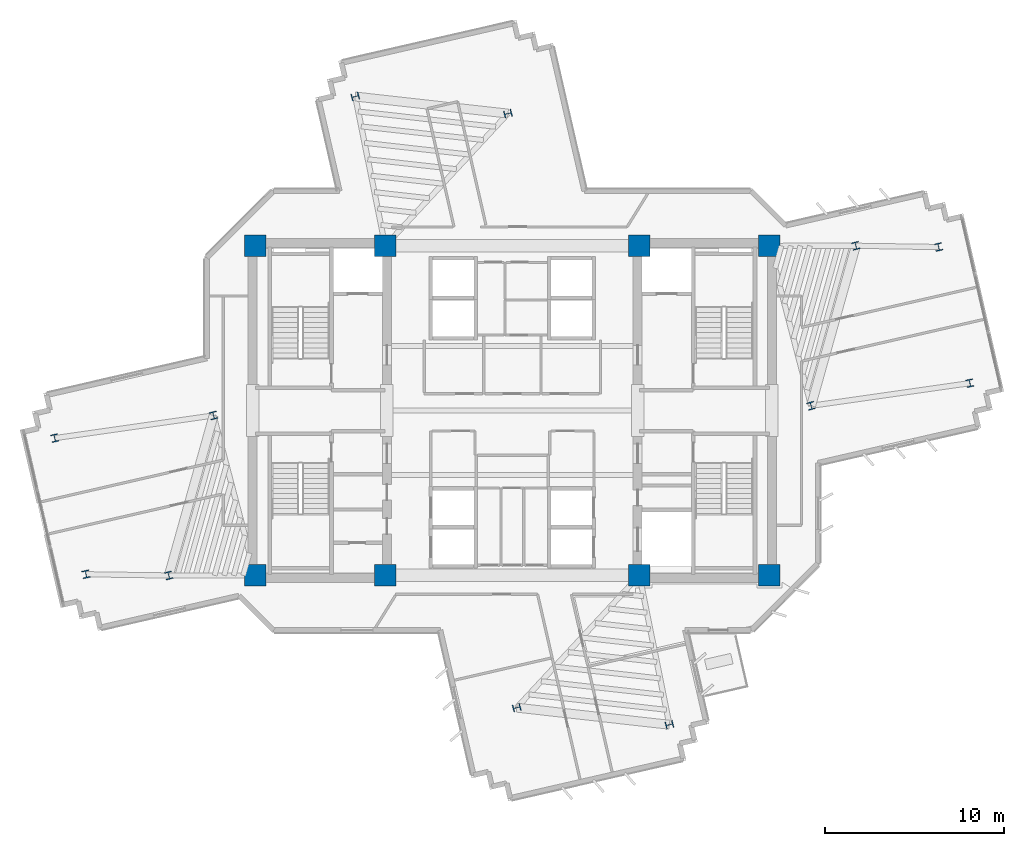
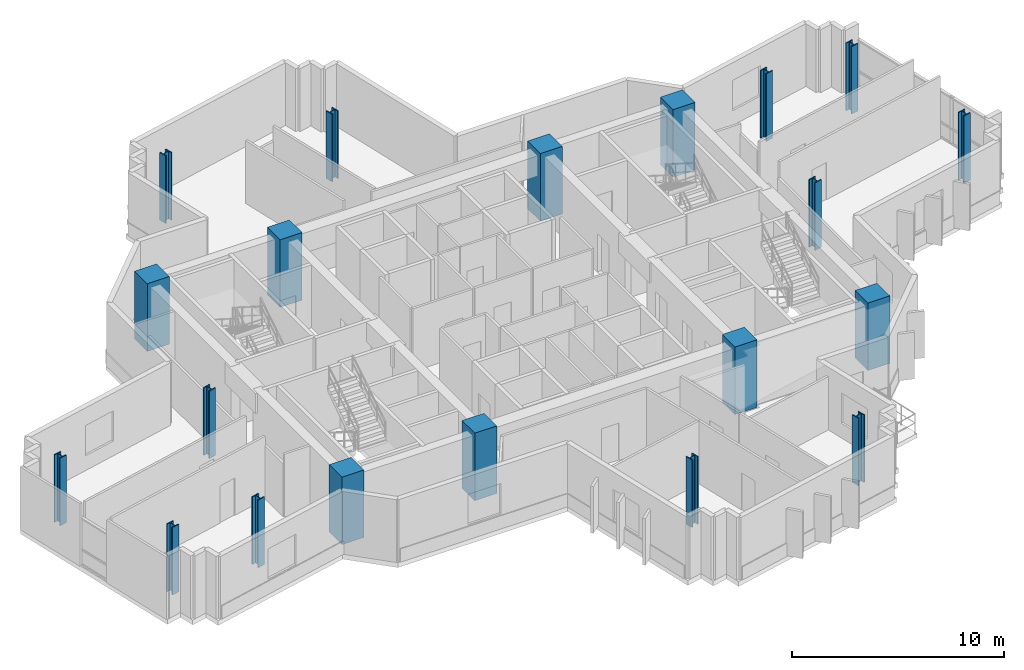
# One storey, part 1 of 13: 20 columns.
"""IFC4 building model written with IfcOpenShell, lengths in metres."""

from ifc_helpers import new_model, si_unit, direction, frame, origin, origin_2d, place, context, subcontext, project, spatial, rectangle, i_section, extrude, source, transform, mapped, material, material_profile, profile_set, type_object, element, save


model = new_model("IFC4")

# Units and contexts
model_context = context("Model", 3, precision=1e-05, world=origin(), true_north=direction((0.0, 1.0)))
body_context = subcontext(model_context, "Body", "Model", "MODEL_VIEW")
ifc_project = project(units=[si_unit("LENGTHUNIT", "METRE"), si_unit("AREAUNIT", "SQUARE_METRE"), si_unit("VOLUMEUNIT", "CUBIC_METRE"), si_unit("PLANEANGLEUNIT", "RADIAN"), si_unit("MASSUNIT", "GRAM", prefix="KILO")], contexts=[model_context])

# Site, building, storey
site_placement = place(None, origin())
site = spatial("IfcSite", under=ifc_project, at=site_placement, CompositionType="ELEMENT")
building_placement = place(site_placement, origin())
building = spatial("IfcBuilding", under=site, at=building_placement, Name="Zahravan Cultural Tower", CompositionType="ELEMENT")
storey_placement = place(building_placement, frame((0.0, 0.0, 178.5)))
storey = spatial("IfcBuildingStorey", under=building, at=storey_placement, Name="L41", CompositionType="ELEMENT", Elevation=178.5)

# Columns
ifc_material_1 = material(Name="Concrete C50/60", Category="concrete")
ifc_material_profile_1 = material_profile(ifc_material_1, rectangle(XDim=1.199951171875, YDim=1.199951171875, at=origin_2d()), Name="RC1200X1200")
ifc_profile_set_1 = profile_set([ifc_material_profile_1], Name="Concrete C50/60")
column_type_1 = type_object("IfcColumnType", Name="COL-RC1200", PredefinedType="COLUMN", material=ifc_profile_set_1)
shared_shape_1 = source(origin(), body_context, "Body", "SweptSolid", [
    extrude(rectangle(XDim=1.199951171875, YDim=1.199951171875, at=origin_2d()), origin(), (0.0, 0.0, 1.0), 3.89990234375),
])
for number, where, z_axis, x_axis, name in (
    (1, (21.64990234375, 17.800048828125, 0.0), (0.0, 0.0, 1.0), (1.0, 0.0, 0.0), "L41 Column CC-W1"),
    (2, (28.89990234375, 17.800048828125, 0.0), (0.0, 0.0, 1.0), (1.0, 0.0, 0.0), "L41 Column CC-W2"),
    (3, (21.64990234375, 36.199951171875, 0.0), (0.0, 0.0, 1.0), (1.0, 0.0, 0.0), "L41 Column CC-W3"),
    (4, (28.89990234375, 36.199951171875, 0.0), (0.0, 0.0, 1.0), (1.0, 0.0, 0.0), "L41 Column CC-W4"),
    (5, (43.10009765625, 17.800048828125, 0.0), (0.0, 0.0, 1.0), (1.0, 0.0, 0.0), "L41 Column CC-E1"),
    (6, (50.35009765625, 17.800048828125, 0.0), (0.0, 0.0, 1.0), (1.0, 0.0, 0.0), "L41 Column CC-E2"),
    (7, (43.10009765625, 36.199951171875, 0.0), (0.0, 0.0, 1.0), (1.0, 0.0, 0.0), "L41 Column CC-E3"),
    (8, (50.35009765625, 36.199951171875, 0.0), (0.0, 0.0, 1.0), (1.0, 0.0, 0.0), "L41 Column CC-E4"),
):
    element("IfcColumn", number, at=place(storey_placement, frame(where, z_axis=z_axis, x_axis=x_axis)), inside=storey, type_object=column_type_1, Name=name, PredefinedType="COLUMN", context=body_context, shape_type="MappedRepresentation", body=[
        mapped(shared_shape_1, transform((0.0, 0.0, 0.0), x_axis=(1.0, 0.0, 0.0), y_axis=(0.0, 1.0, 0.0), z_axis=(0.0, 0.0, 1.0), scale=1.0)),
    ])
ifc_material_2 = material(Name="Steel ASTM A992 Grade 50", Category="steel")
ifc_material_profile_2 = material_profile(ifc_material_2, i_section(OverallWidth=0.412109375, OverallDepth=0.43505859375, WebThickness=0.035888671875, FlangeThickness=0.057373046875, FilletRadius=0.01806640625, at=origin_2d()), Name="W14X311")
ifc_profile_set_2 = profile_set([ifc_material_profile_2], Name="Steel ASTM A992 Grade 50")
column_type_2 = type_object("IfcColumnType", Name="COL-W14X311", PredefinedType="COLUMN", material=ifc_profile_set_2)
shared_shape_2 = source(origin(), body_context, "Body", "SweptSolid", [
    extrude(i_section(OverallWidth=0.412109375, OverallDepth=0.43505859375, WebThickness=0.035888671875, FlangeThickness=0.057373046875, FilletRadius=0.01806640625, at=origin_2d()), origin(), (0.0, 0.0, 1.0), 3.89990234375),
])
for number, where, z_axis, x_axis, name in (
    (9, (52.684326171875, 27.27099609375, 0.0), (0.0, 0.0, 1.0), (0.966823388604, 0.255445757936, 0.0), "L41 Column Z2C-E1"),
    (10, (55.184814453125, 36.2060546875, 0.0), (0.0, 0.0, 1.0), (0.966823388604, 0.255445757936, 0.0), "L41 Column Z2C-E2"),
    (11, (35.754638671875, 43.587646484375, 0.0), (0.0, 0.0, 1.0), (-0.255445757936, 0.966823388604, 0.0), "L41 Column Z2C-N1"),
    (12, (27.22802734375, 44.541259765625, 0.0), (0.0, 0.0, 1.0), (-0.255445757936, 0.966823388604, 0.0), "L41 Column Z2C-N2"),
    (13, (19.315673828125, 26.72900390625, 0.0), (0.0, 0.0, 1.0), (0.966823388604, 0.255445757936, 0.0), "L41 Column Z2C-W1"),
    (14, (16.815185546875, 17.7939453125, 0.0), (0.0, 0.0, 1.0), (0.966823388604, 0.255445757936, 0.0), "L41 Column Z2C-W2"),
    (15, (36.245361328125, 10.412353515625, 0.0), (0.0, 0.0, 1.0), (-0.255445757936, 0.966823388604, 0.0), "L41 Column Z2C-S1"),
    (16, (44.77197265625, 9.458740234375, 0.0), (0.0, 0.0, 1.0), (-0.255445757936, 0.966823388604, 0.0), "L41 Column Z2C-S2"),
    (17, (61.552734375, 28.53466796875, 0.0), (0.0, 0.0, 1.0), (0.977415894286, 0.211324796455, 0.0), "L41 Column Z2T-E1"),
    (18, (59.806640625, 36.13720703125, 0.0), (0.0, 0.0, 1.0), (0.977415894286, 0.211324796455, 0.0), "L41 Column Z2T-E2"),
    (19, (10.447265625, 25.46533203125, 0.0), (0.0, 0.0, 1.0), (0.977415894286, 0.211324796455, 0.0), "L41 Column Z2T-W1"),
    (20, (12.193359375, 17.86279296875, 0.0), (0.0, 0.0, 1.0), (0.977415894286, 0.211324796455, 0.0), "L41 Column Z2T-W2"),
):
    element("IfcColumn", number, at=place(storey_placement, frame(where, z_axis=z_axis, x_axis=x_axis)), inside=storey, type_object=column_type_2, Name=name, PredefinedType="COLUMN", context=body_context, shape_type="MappedRepresentation", body=[
        mapped(shared_shape_2, transform((0.0, 0.0, 0.0), x_axis=(1.0, 0.0, 0.0), y_axis=(0.0, 1.0, 0.0), z_axis=(0.0, 0.0, 1.0), scale=1.0)),
    ])

save(model, "model.ifc")
